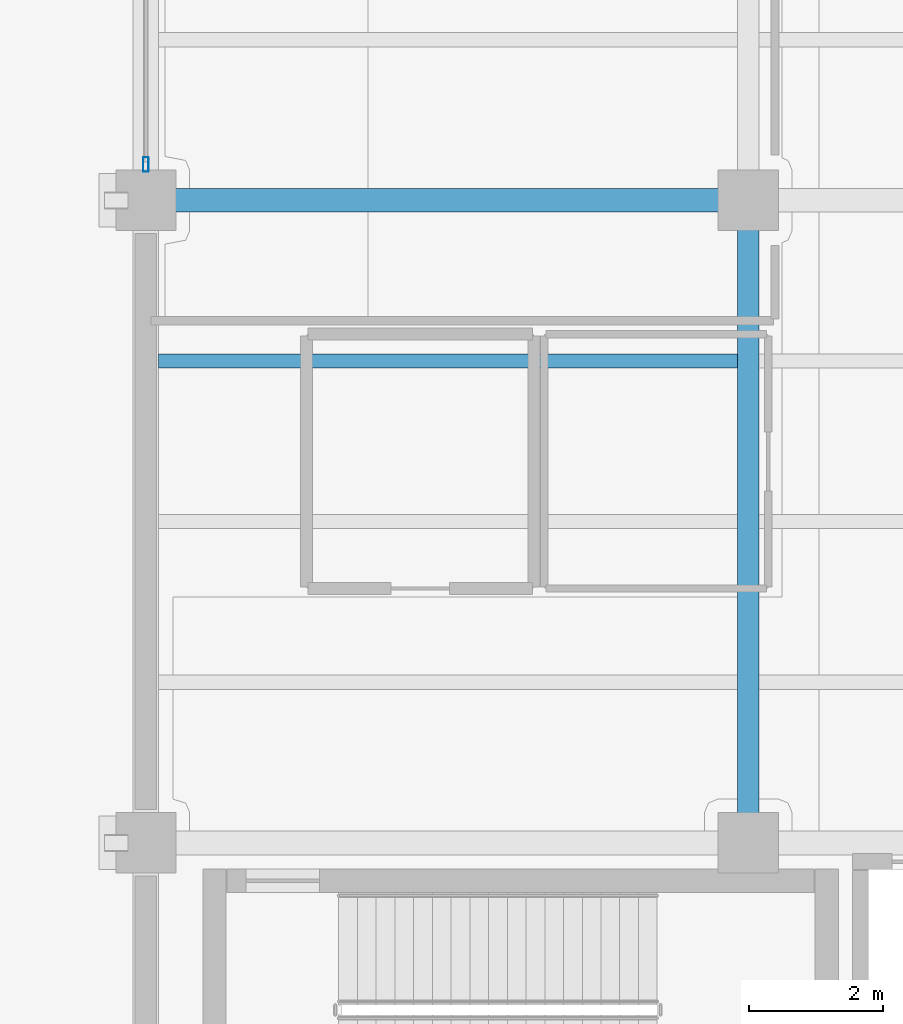
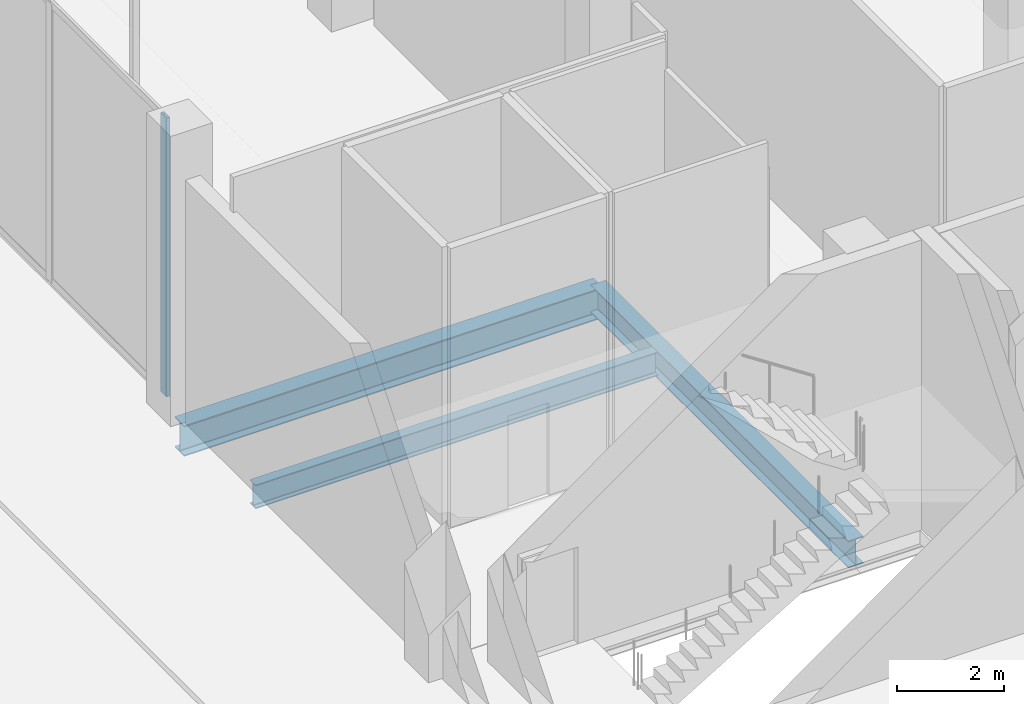
# One storey, part 3 of 45: 3 beams, 1 member, 1 element without a shape of its own.
"""IFC4 building model written with IfcOpenShell, lengths in metres."""

import ifcopenshell
import ifcopenshell.guid

model = None  # the IFC model being written
_history = None  # IfcOwnerHistory: only IFC2X3 demands one
_inside = {}  # id of a spatial element -> (the spatial element, [elements in it])
_under = {}  # id of a project, library or spatial element -> (it, [spatial elements below it])
_declared = {}  # id of a project -> (the project, [libraries it declares])
_typed = {}  # id of a type object -> (the type object, [elements of that type])
_made_of = {}  # id of a material, layer set ... -> (it, [elements and type objects made of it])


def new_model(schema):
    """Start an empty IFC model of exactly this schema.

    Asked for "IFC4X3", IfcOpenShell would pick the latest addendum, in which some entities
    have other attributes; the version numbers below select the first issue.
    IFC2X3 requires an IfcOwnerHistory on every rooted entity: one is made here for all.
    """
    global model, _history
    if schema == "IFC4X3":
        model = ifcopenshell.file(schema_version=(4, 3, 0, 0))
    else:
        model = ifcopenshell.file(schema=schema)
    _inside.clear()
    _under.clear()
    _declared.clear()
    _typed.clear()
    _made_of.clear()
    _history = None
    if model.schema == "IFC2X3":
        org = make("IfcOrganization", Name="unknown")
        user = make(
            "IfcPersonAndOrganization",
            ThePerson=make("IfcPerson", FamilyName="unknown"),
            TheOrganization=org,
        )
        app = make(
            "IfcApplication",
            ApplicationDeveloper=org,
            Version="unknown",
            ApplicationFullName="unknown",
            ApplicationIdentifier="unknown",
        )
        _history = make(
            "IfcOwnerHistory",
            OwningUser=user,
            OwningApplication=app,
            ChangeAction="ADDED",
            CreationDate=0,
        )
    return model


def make(cls, **values):
    """One entity of the class cls with the attributes given. An attribute that is None is left unset."""
    return model.create_entity(
        cls, **{name: value for name, value in values.items() if value is not None}
    )


def rooted(cls, **values):
    """An entity with a GlobalId (a new one), such as an element, a storey or a relation."""
    return make(cls, GlobalId=ifcopenshell.guid.new(), OwnerHistory=_history, **values)


def si_unit(unit_type, name, prefix=None):
    """IfcSIUnit, for example si_unit("LENGTHUNIT", "METRE", prefix="MILLI")."""
    return make("IfcSIUnit", UnitType=unit_type, Prefix=prefix, Name=name)


def assignment(units):
    """IfcUnitAssignment: the units of a project."""
    return None if units is None else make("IfcUnitAssignment", Units=units)


def point(xyz):
    """IfcCartesianPoint."""
    return None if xyz is None else make("IfcCartesianPoint", Coordinates=xyz)


def direction(xyz):
    """IfcDirection."""
    return None if xyz is None else make("IfcDirection", DirectionRatios=xyz)


def frame(location, z_axis=None, x_axis=None):
    """IfcAxis2Placement3D, a coordinate frame: its origin and axes. An axis left out is left unset."""
    return make(
        "IfcAxis2Placement3D",
        Location=point(location),
        Axis=direction(z_axis),
        RefDirection=direction(x_axis),
    )


def frame_2d(location, x_axis=None):
    """IfcAxis2Placement2D, a coordinate frame in the plane: its origin and x axis."""
    return make(
        "IfcAxis2Placement2D", Location=point(location), RefDirection=direction(x_axis)
    )


def origin():
    """The frame at (0, 0, 0) with its axes left unset."""
    return frame((0.0, 0.0, 0.0))


def origin_2d():
    """The frame at (0, 0) in the plane with its x axis left unset."""
    return frame_2d((0.0, 0.0))


def place(relative_to, where):
    """IfcLocalPlacement: puts the frame where relative to a parent placement (None: the world)."""
    return make(
        "IfcLocalPlacement", PlacementRelTo=relative_to, RelativePlacement=where
    )


def context(
    kind, dimensions, precision=None, world=None, true_north=None, identifier=None
):
    """IfcGeometricRepresentationContext, for example the 3D "Model" context."""
    return make(
        "IfcGeometricRepresentationContext",
        ContextIdentifier=identifier,
        ContextType=kind,
        CoordinateSpaceDimension=dimensions,
        Precision=precision,
        WorldCoordinateSystem=world,
        TrueNorth=true_north,
    )


def subcontext(parent, identifier, kind, view, scale=None):
    """IfcGeometricRepresentationSubContext, for example "Body" below "Model"."""
    return make(
        "IfcGeometricRepresentationSubContext",
        ContextIdentifier=identifier,
        ContextType=kind,
        ParentContext=parent,
        TargetScale=scale,
        TargetView=view,
    )


def project(units=None, contexts=None):
    """IfcProject with its units and contexts."""
    return rooted(
        "IfcProject",
        Name="project",
        RepresentationContexts=contexts,
        UnitsInContext=assignment(units),
    )


def spatial(cls, under=None, at=None, **own):
    """A site, building, storey or space (cls), placed at a placement, below another one or the project."""
    s = rooted(cls, ObjectPlacement=at, **own)
    if under is not None:
        _under.setdefault(under.id(), (under, []))[1].append(s)
    return s


def profile(cls, at=None, kind="AREA", **sizes):
    """A parametric profile (cls). Its sizes go by their IFC names, for example OverallWidth=200.0."""
    return make(cls, ProfileType=kind, Position=at, **sizes)


def hollow_rectangle(**sizes):
    """IfcRectangleHollowProfileDef."""
    return profile("IfcRectangleHollowProfileDef", **sizes)


def i_section(**sizes):
    """IfcIShapeProfileDef."""
    return profile("IfcIShapeProfileDef", **sizes)


def extrude(swept, where, along, depth):
    """IfcExtrudedAreaSolid: the profile swept, set in the frame where, extruded along a direction by depth."""
    return make(
        "IfcExtrudedAreaSolid",
        SweptArea=swept,
        Position=where,
        ExtrudedDirection=direction(along),
        Depth=depth,
    )


def shape(context_of_items, identifier, shape_type, items):
    """IfcShapeRepresentation: the items that make up one representation, for example the "Body"."""
    return make(
        "IfcShapeRepresentation",
        ContextOfItems=context_of_items,
        RepresentationIdentifier=identifier,
        RepresentationType=shape_type,
        Items=items,
    )


def material(Name=None, Category=None):
    """IfcMaterial."""
    return make("IfcMaterial", Name=Name, Category=Category)


def layer(
    of_material, thickness, ventilated=None, Name=None, Category=None, Priority=None
):
    """IfcMaterialLayer: one layer of a wall or slab, of a material (None: an air gap)."""
    return make(
        "IfcMaterialLayer",
        Material=of_material,
        LayerThickness=thickness,
        IsVentilated=ventilated,
        Name=Name,
        Category=Category,
        Priority=Priority,
    )


def layer_set(layers, Name=None):
    """IfcMaterialLayerSet."""
    return make("IfcMaterialLayerSet", MaterialLayers=layers, LayerSetName=Name)


def material_profile(
    of_material, cross_section, Name=None, Category=None, Priority=None
):
    """IfcMaterialProfile: a cross section and its material."""
    return make(
        "IfcMaterialProfile",
        Name=Name,
        Material=of_material,
        Profile=cross_section,
        Priority=Priority,
        Category=Category,
    )


def profile_set(profiles, Name=None, composite=None):
    """IfcMaterialProfileSet."""
    return make(
        "IfcMaterialProfileSet",
        Name=Name,
        MaterialProfiles=profiles,
        CompositeProfile=composite,
    )


def made_of(thing, what):
    """Note that an element or type object is made of a material, layer set ...; save() writes the relation."""
    if what is not None:
        _made_of.setdefault(what.id(), (what, []))[1].append(thing)
    return thing


def type_object(cls, material=None, **own):
    """A type object (cls), such as IfcWallType, which elements share."""
    return made_of(rooted(cls, **own), material)


def element(
    cls,
    number,
    at=None,
    inside=None,
    cuts=None,
    type_object=None,
    material=None,
    context=None,
    identifier="Body",
    shape_type=None,
    held_by="IfcProductDefinitionShape",
    body=None,
    shapes=None,
    **own,
):
    """One element of the class cls, such as IfcWall. Its Tag is "e" and its number.

    at: its placement. inside: the storey or other place that contains it. cuts: it is an
    opening in that element (IfcRelVoidsElement). A single representation is given by context,
    identifier, shape_type and body (its items); several are given by shapes. held_by: the class
    of the entity that holds the representations. save() writes the other relations.
    """
    e = rooted(cls, Tag="e%d" % number, ObjectPlacement=at, **own)
    if body is not None:
        shapes = [shape(context, identifier, shape_type, body)]
    if shapes is not None:
        e.Representation = make(held_by, Representations=shapes)
    if inside is not None:
        _inside.setdefault(inside.id(), (inside, []))[1].append(e)
    if cuts is not None:
        rooted(
            "IfcRelVoidsElement", RelatingBuildingElement=cuts, RelatedOpeningElement=e
        )
    if type_object is not None:
        _typed.setdefault(type_object.id(), (type_object, []))[1].append(e)
    return made_of(e, material)


def aggregate(whole, parts):
    """IfcRelAggregates: a whole, such as a stair, and the parts it consists of."""
    return rooted("IfcRelAggregates", RelatingObject=whole, RelatedObjects=parts)


def save(model, path):
    """Write the relations noted so far, then the file.

    IfcRelAggregates (storeys below a building ...), IfcRelContainedInSpatialStructure (elements
    in a storey), IfcRelDefinesByType, IfcRelAssociatesMaterial and IfcRelDeclares: one each for
    every whole, place, type object, material and project.
    """
    for whole, parts in _under.values():
        aggregate(whole, parts)
    for where, things in _inside.values():
        rooted(
            "IfcRelContainedInSpatialStructure",
            RelatedElements=things,
            RelatingStructure=where,
        )
    for kind, things in _typed.values():
        rooted("IfcRelDefinesByType", RelatedObjects=things, RelatingType=kind)
    for what, things in _made_of.values():
        rooted("IfcRelAssociatesMaterial", RelatedObjects=things, RelatingMaterial=what)
    for by, libraries in _declared.values():
        rooted("IfcRelDeclares", RelatingContext=by, RelatedDefinitions=libraries)
    model.write(path)


model = new_model("IFC4")

# Units and contexts
model_context = context("Model", 3, precision=1e-05, world=origin(), true_north=direction((0.0, 1.0)))
body_context = subcontext(model_context, "Body", "Model", "MODEL_VIEW")
ifc_project = project(units=[si_unit("LENGTHUNIT", "METRE"), si_unit("AREAUNIT", "SQUARE_METRE"), si_unit("VOLUMEUNIT", "CUBIC_METRE"), si_unit("PLANEANGLEUNIT", "RADIAN"), si_unit("MASSUNIT", "GRAM", prefix="KILO")], contexts=[model_context])

# Site, building, storey
site_placement = place(None, origin())
site = spatial("IfcSite", under=ifc_project, at=site_placement, CompositionType="ELEMENT")
building_placement = place(site_placement, origin())
building = spatial("IfcBuilding", under=site, at=building_placement, Name="Qorvath Tower", CompositionType="ELEMENT")
storey_placement = place(building_placement, origin())
storey = spatial("IfcBuildingStorey", under=building, at=storey_placement, Name="L00", CompositionType="ELEMENT", Elevation=0.0)

# Beams
ifc_material_1 = material(Name="Steel ASTM A992 Grade 50", Category="steel")
ifc_material_profile_1 = material_profile(ifc_material_1, i_section(OverallWidth=0.35595703125, OverallDepth=0.696044921875, WebThickness=0.015380859375, FlangeThickness=0.02490234375, FilletRadius=0.01806640625, at=origin_2d()), Name="W27x146")
ifc_profile_set_1 = profile_set([ifc_material_profile_1], Name="Steel ASTM A992 Grade 50")
beam_type_1 = type_object("IfcBeamType", Name="BM-FG4", PredefinedType="BEAM", material=ifc_profile_set_1)
beam_1_placement = place(storey_placement, frame((32.39990234375, -19.199951171875, -0.64794921875), z_axis=(1.0, 0.0, 0.0), x_axis=(0.0, 1.0, 0.0)))
element("IfcBeam", 1, at=beam_1_placement, inside=storey, type_object=beam_type_1, Name="Library E-W Girder L00-3-1", PredefinedType="BEAM", context=body_context, shape_type="SweptSolid", body=[
    extrude(i_section(OverallWidth=0.35595703125, OverallDepth=0.696044921875, WebThickness=0.015380859375, FlangeThickness=0.02490234375, FilletRadius=0.01806640625, at=origin_2d()), origin(), (0.0, 0.0, 1.0), 9.0),
])
ifc_material_2 = material(Name="Steel ASTM A992 Grade 50", Category="steel")
ifc_material_profile_2 = material_profile(ifc_material_2, i_section(OverallWidth=0.324951171875, OverallDepth=0.615966796875, WebThickness=0.013916015625, FlangeThickness=0.021484375, FilletRadius=0.01611328125, at=origin_2d()), Name="W24x117")
ifc_profile_set_2 = profile_set([ifc_material_profile_2], Name="Steel ASTM A992 Grade 50")
beam_type_2 = type_object("IfcBeamType", Name="BM-FG5", PredefinedType="BEAM", material=ifc_profile_set_2)
beam_2_placement = place(storey_placement, frame((41.39990234375, -28.800048828125, -0.60791015625), z_axis=(0.0, 1.0, 0.0), x_axis=(-1.0, 0.0, 0.0)))
element("IfcBeam", 2, at=beam_2_placement, inside=storey, type_object=beam_type_2, Name="Library N-S Girder L00-2-2", PredefinedType="BEAM", context=body_context, shape_type="SweptSolid", body=[
    extrude(i_section(OverallWidth=0.324951171875, OverallDepth=0.615966796875, WebThickness=0.013916015625, FlangeThickness=0.021484375, FilletRadius=0.01611328125, at=origin_2d()), origin(), (0.0, 0.0, 1.0), 9.60009765625),
])
ifc_material_3 = material(Name="Steel ASTM A992 Grade 50", Category="steel")
ifc_material_profile_3 = material_profile(ifc_material_3, i_section(OverallWidth=0.2119140625, OverallDepth=0.5439453125, WebThickness=0.01318359375, FlangeThickness=0.021240234375, FilletRadius=0.013916015625, at=origin_2d()), Name="W21x83")
ifc_profile_set_3 = profile_set([ifc_material_profile_3], Name="Steel ASTM A992 Grade 50")
beam_type_3 = type_object("IfcBeamType", Name="BM-FJ1", PredefinedType="JOIST", material=ifc_profile_set_3)
beam_3_placement = place(storey_placement, frame((32.58837890625, -21.60009765625, -0.572021484375), z_axis=(1.0, 0.0, 0.0), x_axis=(0.0, 1.0, 0.0)))
element("IfcBeam", 3, at=beam_3_placement, inside=storey, type_object=beam_type_3, Name="Library Stack Joist L00-2.3-1", PredefinedType="JOIST", context=body_context, shape_type="SweptSolid", body=[
    extrude(i_section(OverallWidth=0.2119140625, OverallDepth=0.5439453125, WebThickness=0.01318359375, FlangeThickness=0.021240234375, FilletRadius=0.013916015625, at=origin_2d()), origin(), (0.0, 0.0, 1.0), 8.651123046875),
])

# Curtain wall, member
ifc_material_4 = material(Name="Anodised aluminium and triple low-E glass", Category="aluminium")
ifc_layer = layer(ifc_material_4, 0.179931640625)
ifc_layer_set = layer_set([ifc_layer], Name="CW-SYS-6")
curtain_wall_type = type_object("IfcCurtainWallType", Name="CW-SYS-6", PredefinedType="NOTDEFINED", material=ifc_layer_set)
curtain_wall_placement = place(storey_placement, origin())
curtain_wall = element("IfcCurtainWall", 4, at=curtain_wall_placement, inside=storey, type_object=curtain_wall_type, Name="Curtain Wall CW-6 CW-LIB-W-L00-3", PredefinedType="NOTDEFINED")
ifc_material_5 = material(Name="Anodised aluminium 6063-T6", Category="aluminium")
ifc_material_profile_4 = material_profile(ifc_material_5, hollow_rectangle(XDim=0.080078125, YDim=0.219970703125, WallThickness=0.00439453125, InnerFilletRadius=0.00439453125, OuterFilletRadius=0.009033203125, at=origin_2d()), Name="CWM LIB 220x80")
ifc_profile_set_4 = profile_set([ifc_material_profile_4], Name="Anodised aluminium 6063-T6")
member_type = type_object("IfcMemberType", Name="CWM-LIB", PredefinedType="MULLION", material=ifc_profile_set_4)
member_placement = place(storey_placement, frame((32.39990234375, -18.6650390625, 0.0), z_axis=(0.0, 0.0, 1.0), x_axis=(-1.0, 0.0, 0.0)))
member = element("IfcMember", 5, at=member_placement, type_object=member_type, Name="CW-6 mullion 1", PredefinedType="MULLION", context=body_context, shape_type="SweptSolid", body=[
    extrude(hollow_rectangle(XDim=0.080078125, YDim=0.219970703125, WallThickness=0.00439453125, InnerFilletRadius=0.00439453125, OuterFilletRadius=0.009033203125, at=origin_2d()), origin(), (0.0, 0.0, 1.0), 6.340087890625),
])
aggregate(curtain_wall, [member])

save(model, "model.ifc")
